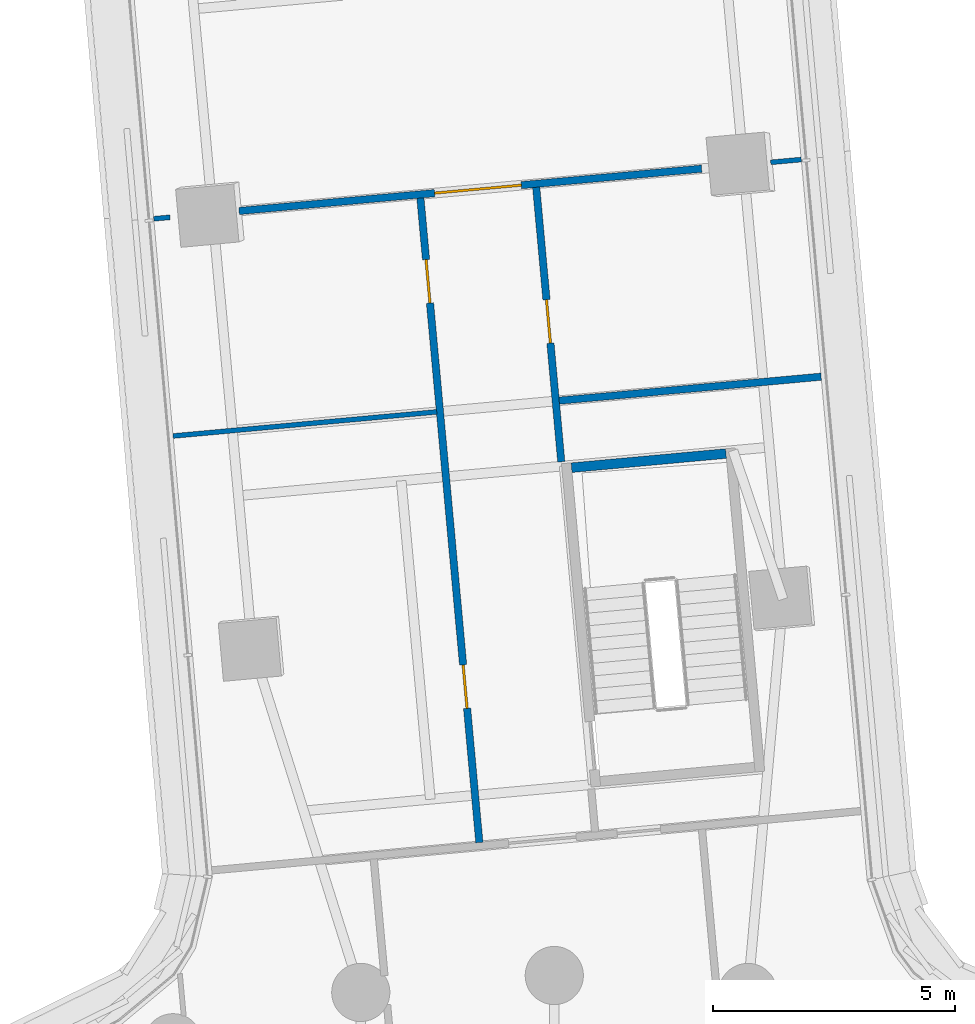
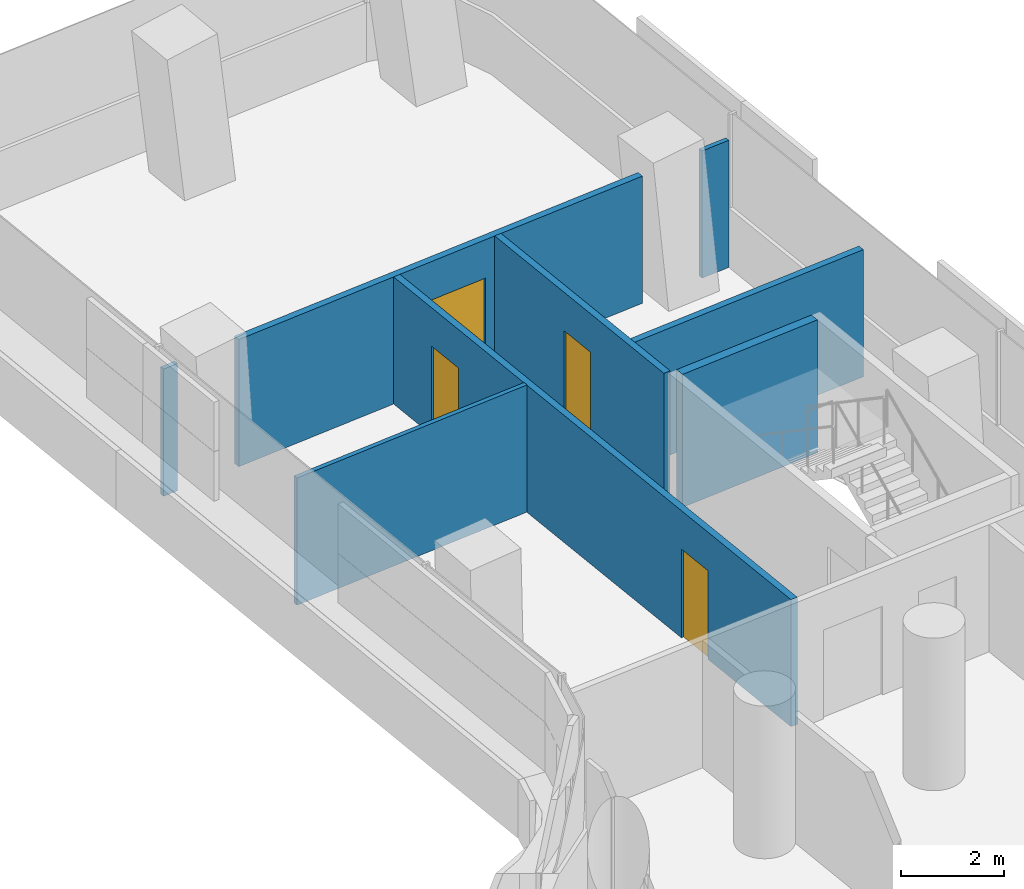
# One storey, part 23 of 31: 8 walls, 4 doors, 4 openings.
"""IFC4 building model written with IfcOpenShell, lengths in metres."""

from ifc_helpers import new_model, si_unit, direction, frame, frame_2d, origin, place, context, subcontext, project, spatial, polyline, rectangle, outline, extrude, material, layer, layer_set, type_object, element, fill, save


model = new_model("IFC4")

# Units and contexts
model_context = context("Model", 3, precision=1e-05, world=origin(), true_north=direction((0.0, 1.0)))
body_context = subcontext(model_context, "Body", "Model", "MODEL_VIEW")
ifc_project = project(units=[si_unit("LENGTHUNIT", "METRE"), si_unit("AREAUNIT", "SQUARE_METRE"), si_unit("VOLUMEUNIT", "CUBIC_METRE"), si_unit("PLANEANGLEUNIT", "RADIAN"), si_unit("MASSUNIT", "GRAM", prefix="KILO")], contexts=[model_context])

# Site, building, storey
site_placement = place(None, origin())
site = spatial("IfcSite", under=ifc_project, at=site_placement, CompositionType="ELEMENT")
building_placement = place(site_placement, origin())
building = spatial("IfcBuilding", under=site, at=building_placement, Name="Tamarind Cross Interchange Tower", CompositionType="ELEMENT")
storey_placement = place(building_placement, frame((0.0, 0.0, 52.75)))
storey = spatial("IfcBuildingStorey", under=building, at=storey_placement, Name="L11", CompositionType="ELEMENT", Elevation=52.75)

# Walls
ifc_material_1 = material(Name="Gypsum board partition on steel studs", Category="steel")
ifc_layer_1 = layer(ifc_material_1, 0.10009765625)
ifc_layer_set_1 = layer_set([ifc_layer_1], Name="Gypsum board partition on steel studs")
wall_type_1 = type_object("IfcWallType", Name="Partition 100 mm EI 90", PredefinedType="PARTITIONING", material=ifc_layer_set_1)
wall_1_placement = place(storey_placement, frame((-8.26513671875, 38.6162109375, 0.0), z_axis=(0.0, 0.0, 1.0), x_axis=(0.99587533818, 0.09073208256, 0.0)))
element("IfcWall", 1, at=wall_1_placement, inside=storey, type_object=wall_type_1, Name="Partition L11-047", PredefinedType="PARTITIONING", context=body_context, shape_type="SweptSolid", body=[
    extrude(rectangle(XDim=0.33642578125, YDim=0.10009765625, at=frame_2d((0.168212890625, 0.0))), origin(), (0.0, 0.0, 1.0), 3.010009765625),
])
wall_2_placement = place(storey_placement, frame((4.465087890625, 39.78125, 0.0), z_axis=(0.0, 0.0, 1.0), x_axis=(0.995855211675, 0.090952720571, 0.0)))
element("IfcWall", 2, at=wall_2_placement, inside=storey, type_object=wall_type_1, Name="Partition L11-049", PredefinedType="PARTITIONING", context=body_context, shape_type="SweptSolid", body=[
    extrude(rectangle(XDim=0.633544921875, YDim=0.10009765625, at=frame_2d((0.31689453125, 0.0))), origin(), (0.0, 0.0, 1.0), 3.010009765625),
])
wall_3_placement = place(storey_placement, frame((-7.8662109375, 34.134033203125, 0.0), z_axis=(0.0, 0.0, 1.0), x_axis=(0.995837350797, 0.091148070514, 0.0)))
element("IfcWall", 3, at=wall_3_placement, inside=storey, type_object=wall_type_1, Name="Partition L11-050", PredefinedType="PARTITIONING", context=body_context, shape_type="SweptSolid", body=[
    extrude(rectangle(XDim=5.464111328125, YDim=0.10009765625, at=frame_2d((2.73193359375, 0.0))), origin(), (0.0, 0.0, 1.0), 3.010009765625),
])

# Wall, openings, doors
ifc_layer_2 = layer(ifc_material_1, 0.14990234375)
ifc_layer_set_2 = layer_set([ifc_layer_2], Name="Gypsum board partition on steel studs")
wall_type_2 = type_object("IfcWallType", Name="Partition 150 mm EI 120", PredefinedType="PARTITIONING", material=ifc_layer_set_2)
wall_4_placement = place(storey_placement, frame((-2.763671875, 39.04931640625, 0.0), z_axis=(0.0, 0.0, 1.0), x_axis=(0.091114057263, -0.995840463412, 0.0)))
wall_4 = element("IfcWall", 4, at=wall_4_placement, inside=storey, type_object=wall_type_2, Name="Partition L11-013", PredefinedType="PARTITIONING", context=body_context, shape_type="SweptSolid", body=[
    extrude(rectangle(XDim=13.360107421875, YDim=0.14990234375, at=frame_2d((6.68017578125, 0.0))), origin(), (0.0, 0.0, 1.0), 3.010009765625),
])
opening_1_placement = place(wall_4_placement, frame((9.6796875, 0.0, 0.0)))
opening_1 = element("IfcOpeningElement", 5, at=opening_1_placement, cuts=wall_4, Name="Opening D05", PredefinedType="OPENING", context=body_context, shape_type="SweptSolid", body=[
    extrude(rectangle(XDim=0.89990234375, YDim=2.10009765625, at=frame_2d((0.449951171875, 1.050048828125))), frame((0.0, 0.0849609375, 0.0), z_axis=(0.0, -1.0, 0.0), x_axis=(1.0, 0.0, 0.0)), (0.0, 0.0, 1.0), 0.169921875),
])
opening_2_placement = place(wall_4_placement, frame((1.280029296875, 0.0, 0.0)))
opening_2 = element("IfcOpeningElement", 6, at=opening_2_placement, cuts=wall_4, Name="Opening D06", PredefinedType="OPENING", context=body_context, shape_type="SweptSolid", body=[
    extrude(rectangle(XDim=0.89990234375, YDim=2.10009765625, at=frame_2d((0.449951171875, 1.050048828125))), frame((0.0, 0.0849609375, 0.0), z_axis=(0.0, -1.0, 0.0), x_axis=(1.0, 0.0, 0.0)), (0.0, 0.0, 1.0), 0.169921875),
])
ifc_material_2 = material(Name="Fire-resisting door set")
door_type_1 = type_object("IfcDoorType", Name="Interior door 900 x 2100 FD60S", OperationType="SINGLE_SWING_LEFT", PredefinedType="DOOR", material=ifc_material_2)
door_1_placement = place(opening_1_placement, frame((0.89990234375, 0.0, 0.0), z_axis=(0.0, 0.0, 1.0), x_axis=(-1.0, 0.0, 0.0)))
door_1 = element("IfcDoor", 7, at=door_1_placement, inside=storey, type_object=door_type_1, Name="Door D05", OperationType="SINGLE_SWING_RIGHT", OverallHeight=2.10009765625, OverallWidth=0.89990234375, PredefinedType="DOOR", context=body_context, shape_type="SweptSolid", body=[
    extrude(rectangle(XDim=0.89990234375, YDim=2.10009765625, at=frame_2d((0.449951171875, 1.050048828125))), frame((0.0, 0.02490234375, 0.0), z_axis=(0.0, -1.0, 0.0), x_axis=(1.0, 0.0, 0.0)), (0.0, 0.0, 1.0), 0.050048828125),
])
fill(opening_1, door_1)
door_2_placement = place(opening_2_placement, frame((0.89990234375, 0.0, 0.0), z_axis=(0.0, 0.0, 1.0), x_axis=(-1.0, 0.0, 0.0)))
door_2 = element("IfcDoor", 8, at=door_2_placement, inside=storey, type_object=door_type_1, Name="Door D06", OperationType="SINGLE_SWING_LEFT", OverallHeight=2.10009765625, OverallWidth=0.89990234375, PredefinedType="DOOR", context=body_context, shape_type="SweptSolid", body=[
    extrude(rectangle(XDim=0.89990234375, YDim=2.10009765625, at=frame_2d((0.449951171875, 1.050048828125))), frame((0.0, 0.02490234375, 0.0), z_axis=(0.0, -1.0, 0.0), x_axis=(1.0, 0.0, 0.0)), (0.0, 0.0, 1.0), 0.050048828125),
])
fill(opening_2, door_2)

# Wall, opening, door
wall_5_placement = place(storey_placement, frame((-0.37353515625, 39.267333984375, 0.0), z_axis=(0.0, 0.0, 1.0), x_axis=(0.091019390858, -0.995849120343, 0.0)))
wall_5 = element("IfcWall", 9, at=wall_5_placement, inside=storey, type_object=wall_type_2, Name="Partition L11-015", PredefinedType="PARTITIONING", context=body_context, shape_type="SweptSolid", body=[
    extrude(rectangle(XDim=5.689208984375, YDim=0.14990234375, at=frame_2d((2.8447265625, 0.0))), origin(), (0.0, 0.0, 1.0), 3.010009765625),
])
opening_3_placement = place(wall_5_placement, frame((2.330078125, 0.0, 0.0)))
opening_3 = element("IfcOpeningElement", 10, at=opening_3_placement, cuts=wall_5, Name="Opening D09", PredefinedType="OPENING", context=body_context, shape_type="SweptSolid", body=[
    extrude(rectangle(XDim=0.89990234375, YDim=2.10009765625, at=frame_2d((0.449951171875, 1.050048828125))), frame((0.0, 0.0849609375, 0.0), z_axis=(0.0, -1.0, 0.0), x_axis=(1.0, 0.0, 0.0)), (0.0, 0.0, 1.0), 0.169921875),
])
door_3_placement = place(opening_3_placement, origin())
door_3 = element("IfcDoor", 11, at=door_3_placement, inside=storey, type_object=door_type_1, Name="Door D09", OperationType="SINGLE_SWING_RIGHT", OverallHeight=2.10009765625, OverallWidth=0.89990234375, PredefinedType="DOOR", context=body_context, shape_type="SweptSolid", body=[
    extrude(rectangle(XDim=0.89990234375, YDim=2.10009765625, at=frame_2d((0.449951171875, 1.050048828125))), frame((0.0, 0.02490234375, 0.0), z_axis=(0.0, -1.0, 0.0), x_axis=(1.0, 0.0, 0.0)), (0.0, 0.0, 1.0), 0.050048828125),
])
fill(opening_3, door_3)

wall_6_placement = place(storey_placement, frame((-6.505126953125, 38.777099609375, 0.0), z_axis=(0.0, 0.0, 1.0), x_axis=(0.99583853491, 0.091135132565, 0.0)))
wall_6 = element("IfcWall", 12, at=wall_6_placement, inside=storey, type_object=wall_type_2, Name="Partition L11-048", PredefinedType="PARTITIONING", context=body_context, shape_type="SweptSolid", body=[
    extrude(rectangle(XDim=9.5849609375, YDim=0.14990234375, at=frame_2d((4.79248046875, 0.0))), origin(), (0.0, 0.0, 1.0), 3.010009765625),
])
opening_4_placement = place(wall_6_placement, frame((4.05078125, 0.0, 0.0)))
opening_4 = element("IfcOpeningElement", 13, at=opening_4_placement, cuts=wall_6, Name="Opening D27", PredefinedType="OPENING", context=body_context, shape_type="SweptSolid", body=[
    extrude(rectangle(XDim=1.800048828125, YDim=2.10009765625, at=frame_2d((0.89990234375, 1.050048828125))), frame((0.0, 0.0849609375, 0.0), z_axis=(0.0, -1.0, 0.0), x_axis=(1.0, 0.0, 0.0)), (0.0, 0.0, 1.0), 0.169921875),
])
door_type_2 = type_object("IfcDoorType", Name="Interior door 1800 x 2100 FD60S", OperationType="DOUBLE_DOOR_SINGLE_SWING", PredefinedType="DOOR", material=ifc_material_2)
door_4_placement = place(opening_4_placement, frame((1.800048828125, 0.0, 0.0), z_axis=(0.0, 0.0, 1.0), x_axis=(-1.0, 0.0, 0.0)))
door_4 = element("IfcDoor", 14, at=door_4_placement, inside=storey, type_object=door_type_2, Name="Door D27", OperationType="DOUBLE_DOOR_SINGLE_SWING", OverallHeight=2.10009765625, OverallWidth=1.800048828125, PredefinedType="DOOR", context=body_context, shape_type="SweptSolid", body=[
    extrude(rectangle(XDim=1.800048828125, YDim=2.10009765625, at=frame_2d((0.89990234375, 1.050048828125))), frame((0.0, 0.02490234375, 0.0), z_axis=(0.0, -1.0, 0.0), x_axis=(1.0, 0.0, 0.0)), (0.0, 0.0, 1.0), 0.050048828125),
])
fill(opening_4, door_4)

# Walls
wall_7_placement = place(storey_placement, frame((0.099609375, 34.863037109375, 0.0), z_axis=(0.0, 0.0, 1.0), x_axis=(0.995836241543, 0.091160188846, 0.0)))
element("IfcWall", 15, at=wall_7_placement, inside=storey, type_object=wall_type_2, Name="Partition L11-051", PredefinedType="PARTITIONING", context=body_context, shape_type="SweptSolid", body=[
    extrude(rectangle(XDim=5.4287109375, YDim=0.14990234375, at=frame_2d((2.71435546875, 0.0))), origin(), (0.0, 0.0, 1.0), 3.010009765625),
])
ifc_material_3 = material(Name="Concrete C40", Category="concrete")
ifc_layer_3 = layer(ifc_material_3, 0.199951171875)
ifc_layer_set_3 = layer_set([ifc_layer_3], Name="Concrete C40")
wall_type_3 = type_object("IfcWallType", Name="Stair shaft wall 200 mm Concrete C40", PredefinedType="SHEAR", material=ifc_layer_set_3)
wall_8_placement = place(storey_placement, frame((0.0, 0.0, -0.139892578125)))
element("IfcWall", 16, at=wall_8_placement, inside=storey, type_object=wall_type_3, Name="Core wall CWL-L11-ST4-CF", PredefinedType="SHEAR", context=body_context, shape_type="SweptSolid", body=[
    extrude(outline(polyline([(3.552001953125, 33.671875), (3.53369140625, 33.87109375), (0.34716796875, 33.57958984375), (0.365234375, 33.380615234375), (3.552001953125, 33.671875)])), origin(), (0.0, 0.0, 1.0), 3.14990234375),
])

save(model, "model.ifc")
